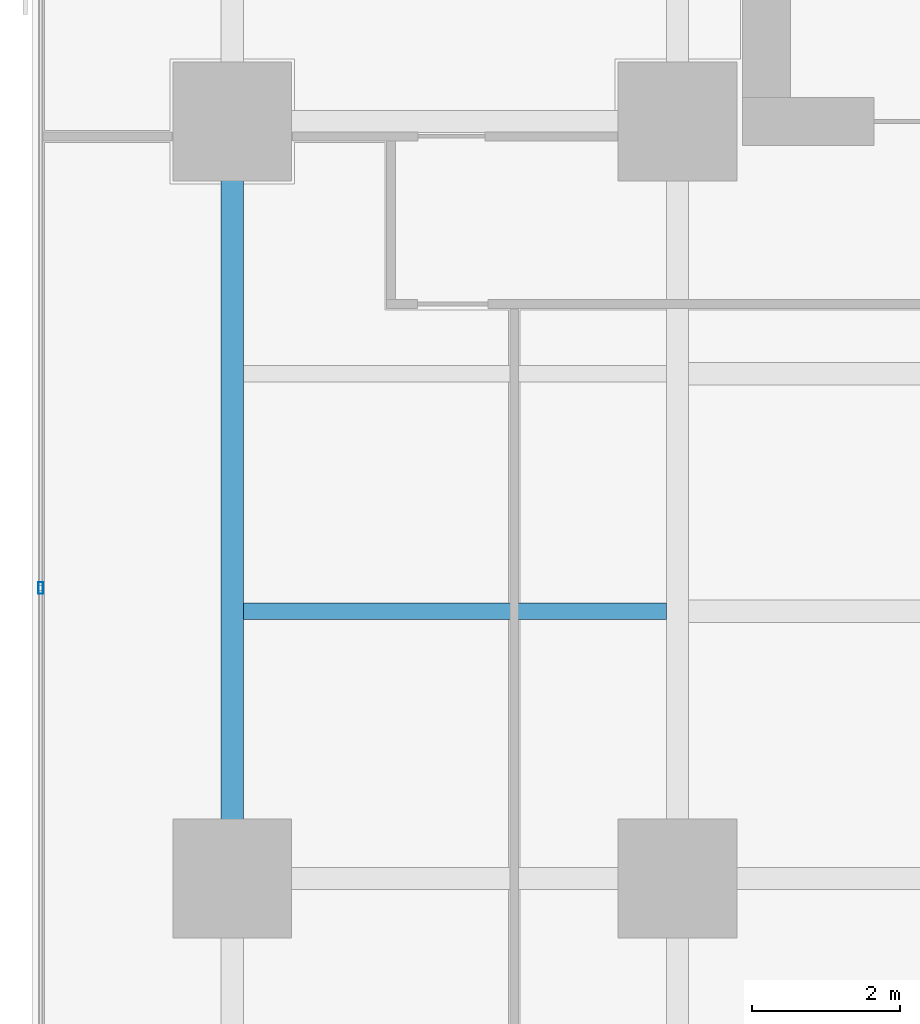
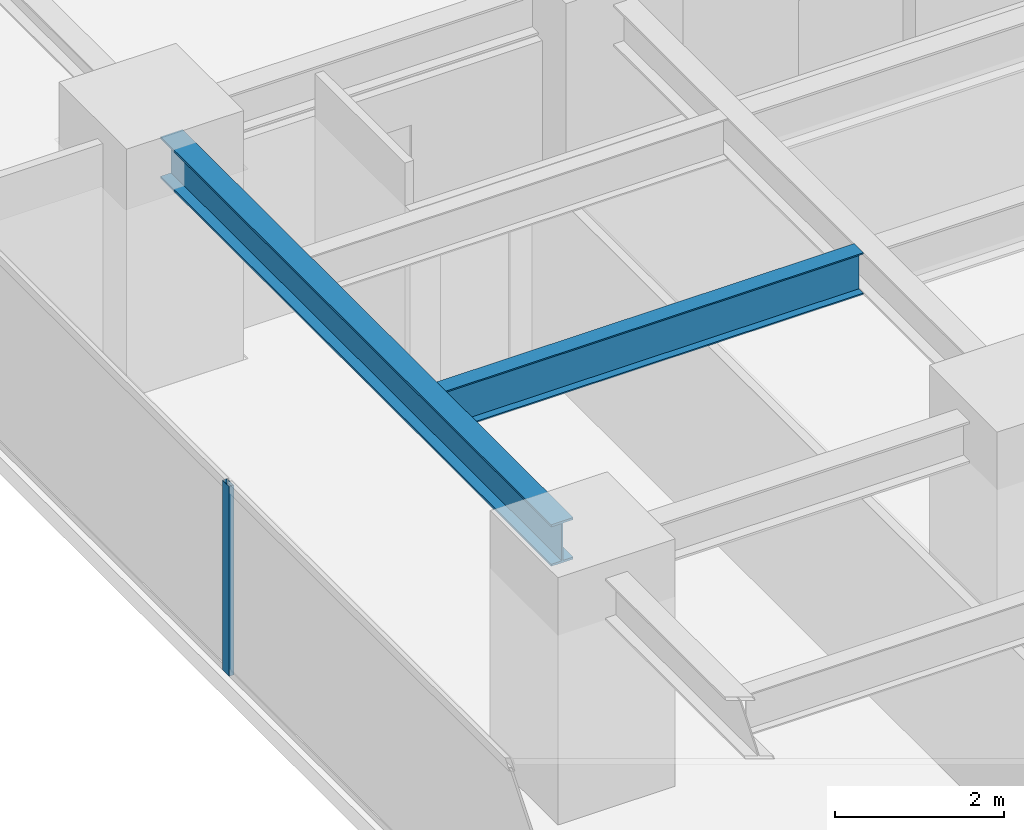
# One storey, part 10 of 36: 2 beams, 1 member, 1 element without a shape of its own.
"""IFC4 building model written with IfcOpenShell, lengths in metres."""

from ifc_helpers import new_model, si_unit, direction, frame, origin, origin_2d, place, context, subcontext, project, spatial, hollow_rectangle, i_section, extrude, source, transform, mapped, material, layer, layer_set, material_profile, profile_set, type_object, element, aggregate, save


model = new_model("IFC4")

# Units and contexts
model_context = context("Model", 3, precision=1e-05, world=origin(), true_north=direction((0.0, 1.0)))
body_context = subcontext(model_context, "Body", "Model", "MODEL_VIEW")
ifc_project = project(units=[si_unit("LENGTHUNIT", "METRE"), si_unit("AREAUNIT", "SQUARE_METRE"), si_unit("VOLUMEUNIT", "CUBIC_METRE"), si_unit("PLANEANGLEUNIT", "RADIAN"), si_unit("MASSUNIT", "GRAM", prefix="KILO")], contexts=[model_context])

# Site, building, storey
site_placement = place(None, origin())
site = spatial("IfcSite", under=ifc_project, at=site_placement, CompositionType="ELEMENT")
building_placement = place(site_placement, origin())
building = spatial("IfcBuilding", under=site, at=building_placement, Name="Sumidabori Civic Tower", CompositionType="ELEMENT")
storey_placement = place(building_placement, frame((0.0, 0.0, 84.800048828125)))
storey = spatial("IfcBuildingStorey", under=building, at=storey_placement, Name="L21", CompositionType="ELEMENT", Elevation=84.800048828125)

# Beams
ifc_material_1 = material(Name="Steel SN490", Category="steel")
ifc_material_profile_1 = material_profile(ifc_material_1, i_section(OverallWidth=0.300048828125, OverallDepth=0.60009765625, WebThickness=0.015380859375, FlangeThickness=0.030029296875, at=origin_2d()), Name="HE 600 B")
ifc_profile_set_1 = profile_set([ifc_material_profile_1], Name="Steel SN490")
beam_type_1 = type_object("IfcBeamType", Name="BM-GIRD-600", PredefinedType="BEAM", material=ifc_profile_set_1)
shared_shape_1 = source(origin(), body_context, "Body", "SweptSolid", [
    extrude(i_section(OverallWidth=0.300048828125, OverallDepth=0.60009765625, WebThickness=0.015380859375, FlangeThickness=0.030029296875, at=origin_2d()), origin(), (0.0, 0.0, 1.0), 9.239990234375),
])
beam_1_placement = place(storey_placement, frame((-22.800048828125, 0.47998046875, 3.06005859375), z_axis=(0.0, 1.0, 0.0), x_axis=(-1.0, 0.0, 0.0)))
element("IfcBeam", 1, at=beam_1_placement, inside=storey, type_object=beam_type_1, Name="Primary Girder L21 GY-23", PredefinedType="BEAM", context=body_context, shape_type="MappedRepresentation", body=[
    mapped(shared_shape_1, transform((0.0, 0.0, 0.0), x_axis=(1.0, 0.0, 0.0), y_axis=(0.0, 1.0, 0.0), z_axis=(0.0, 0.0, 1.0), scale=1.0)),
])
ifc_material_profile_2 = material_profile(ifc_material_1, i_section(OverallWidth=0.219970703125, OverallDepth=0.60009765625, WebThickness=0.011962890625, FlangeThickness=0.01904296875, at=origin_2d()), Name="IPE 600")
ifc_profile_set_2 = profile_set([ifc_material_profile_2], Name="Steel SN490")
beam_type_2 = type_object("IfcBeamType", Name="BM-JST-600", PredefinedType="JOIST", material=ifc_profile_set_2)
shared_shape_2 = source(origin(), body_context, "Body", "SweptSolid", [
    extrude(i_section(OverallWidth=0.219970703125, OverallDepth=0.60009765625, WebThickness=0.011962890625, FlangeThickness=0.01904296875, at=origin_2d()), origin(), (0.0, 0.0, 1.0), 5.699951171875),
])
beam_2_placement = place(storey_placement, frame((-22.64990234375, 3.60009765625, 3.06005859375), z_axis=(1.0, 0.0, 0.0), x_axis=(0.0, 1.0, 0.0)))
element("IfcBeam", 2, at=beam_2_placement, inside=storey, type_object=beam_type_2, Name="Outer Bay Floor Joist L21 JSTO-47", PredefinedType="JOIST", context=body_context, shape_type="MappedRepresentation", body=[
    mapped(shared_shape_2, transform((0.0, 0.0, 0.0), x_axis=(1.0, 0.0, 0.0), y_axis=(0.0, 1.0, 0.0), z_axis=(0.0, 0.0, 1.0), scale=1.0)),
])

# Curtain wall, member
ifc_material_2 = material(Name="Anodised Bronze Aluminium AW-6063-T6", Category="aluminium")
ifc_layer = layer(ifc_material_2, 0.179931640625, Name="Anodised Bronze Aluminium AW-6063-T6")
ifc_layer_set = layer_set([ifc_layer], Name="Anodised Bronze Aluminium AW-6063-T6")
curtain_wall_type = type_object("IfcCurtainWallType", Name="CW-SYS-3", PredefinedType="NOTDEFINED", material=ifc_layer_set)
curtain_wall_placement = place(storey_placement, origin())
curtain_wall = element("IfcCurtainWall", 3, at=curtain_wall_placement, inside=storey, type_object=curtain_wall_type, Name="Curtain Wall CW:L21:R10", PredefinedType="NOTDEFINED")
ifc_material_profile_3 = material_profile(ifc_material_2, hollow_rectangle(XDim=0.06494140625, YDim=0.159912109375, WallThickness=0.0048828125, at=origin_2d()), Name="ALU MULLION 160x65")
ifc_profile_set_3 = profile_set([ifc_material_profile_3], Name="Anodised Bronze Aluminium AW-6063-T6")
member_type = type_object("IfcMemberType", Name="CW-MUL-160", PredefinedType="MULLION", material=ifc_profile_set_3)
shared_shape_3 = source(origin(), body_context, "Body", "SweptSolid", [
    extrude(hollow_rectangle(XDim=0.06494140625, YDim=0.159912109375, WallThickness=0.0048828125, at=origin_2d()), origin(), (0.0, 0.0, 1.0), 2.739990234375),
])
member_placement = place(storey_placement, frame((-25.3798828125, 3.9140625, 0.0), z_axis=(0.0, 0.0, 1.0), x_axis=(1.0, 0.0, 0.0)))
member = element("IfcMember", 4, at=member_placement, type_object=member_type, Name="CW-3 mullion 3", PredefinedType="MULLION", context=body_context, shape_type="MappedRepresentation", body=[
    mapped(shared_shape_3, transform((0.0, 0.0, 0.0), x_axis=(1.0, 0.0, 0.0), y_axis=(0.0, 1.0, 0.0), z_axis=(0.0, 0.0, 1.0), scale=1.0)),
])
aggregate(curtain_wall, [member])

save(model, "model.ifc")
